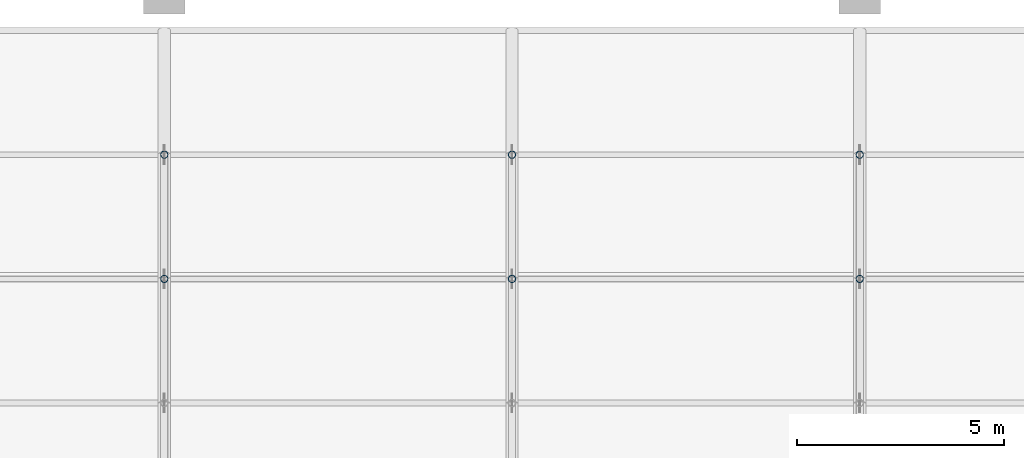
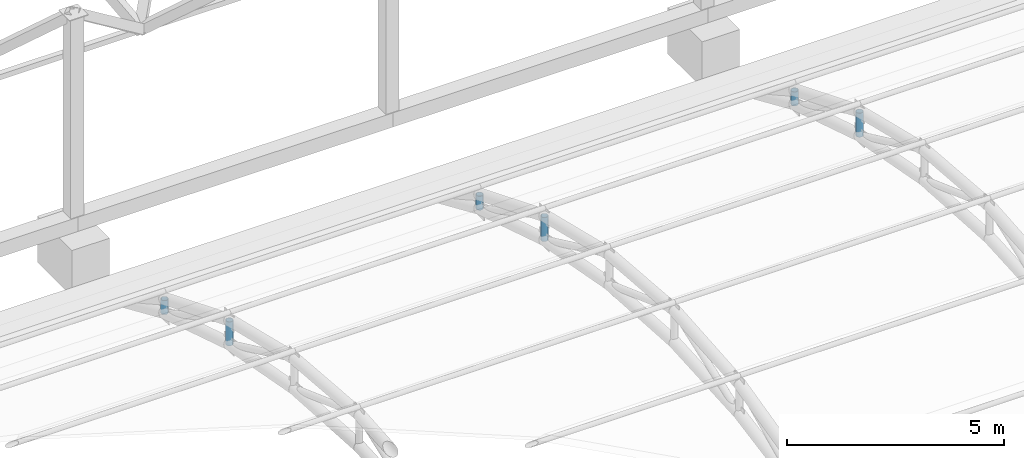
# One storey, part 76 of 163: 6 members.
"""IFC4 building model written with IfcOpenShell, lengths in metres."""

from ifc_helpers import new_model, si_unit, direction, frame, origin, origin_2d, place, context, subcontext, project, spatial, hollow_circle, extrude, material, material_profile, profile_set, type_object, element, save


model = new_model("IFC4")

# Units and contexts
model_context = context("Model", 3, precision=1e-05, world=origin(), true_north=direction((0.0, 1.0)))
body_context = subcontext(model_context, "Body", "Model", "MODEL_VIEW")
ifc_project = project(units=[si_unit("LENGTHUNIT", "METRE"), si_unit("AREAUNIT", "SQUARE_METRE"), si_unit("VOLUMEUNIT", "CUBIC_METRE"), si_unit("PLANEANGLEUNIT", "RADIAN"), si_unit("MASSUNIT", "GRAM", prefix="KILO")], contexts=[model_context])

# Site, building, storey
site_placement = place(None, origin())
site = spatial("IfcSite", under=ifc_project, at=site_placement, CompositionType="ELEMENT")
building_placement = place(site_placement, origin())
building = spatial("IfcBuilding", under=site, at=building_placement, Name="Rain Tree Exposition and Congress Centre", CompositionType="ELEMENT")
storey_placement = place(building_placement, frame((0.0, 0.0, 10.5)))
storey = spatial("IfcBuildingStorey", under=building, at=storey_placement, Name="L02", CompositionType="ELEMENT", Elevation=10.5)

# Members
ifc_material = material(Name="Steel S355J2H", Category="steel")
ifc_material_profile = material_profile(ifc_material, hollow_circle(Radius=0.090087890625, WallThickness=0.008056640625, at=origin_2d()), Name="CHS 180x8")
ifc_profile_set = profile_set([ifc_material_profile], Name="Steel S355J2H")
member_type = type_object("IfcMemberType", Name="Steel post member CHS 180x8", PredefinedType="POST", material=ifc_profile_set)
member_1_placement = place(storey_placement, frame((92.39990234375, 93.60009765625, 2.3798828125), z_axis=(0.0, 0.0, 1.0), x_axis=(1.0, 0.0, 0.0)))
element("IfcMember", 1, at=member_1_placement, inside=storey, type_object=member_type, Name="Roof truss 12 post 6", PredefinedType="POST", context=body_context, shape_type="SweptSolid", body=[
    extrude(hollow_circle(Radius=0.090087890625, WallThickness=0.008056640625, at=origin_2d()), origin(), (0.0, 0.0, 1.0), 0.675048828125),
])
member_2_placement = place(storey_placement, frame((92.39990234375, 96.60009765625, 1.4423828125), z_axis=(0.0, 0.0, 1.0), x_axis=(1.0, 0.0, 0.0)))
element("IfcMember", 2, at=member_2_placement, inside=storey, type_object=member_type, Name="Roof truss 12 post 7", PredefinedType="POST", context=body_context, shape_type="SweptSolid", body=[
    extrude(hollow_circle(Radius=0.090087890625, WallThickness=0.008056640625, at=origin_2d()), origin(), (0.0, 0.0, 1.0), 0.393798828125),
])
member_3_placement = place(storey_placement, frame((100.800048828125, 93.60009765625, 2.3798828125), z_axis=(0.0, 0.0, 1.0), x_axis=(1.0, 0.0, 0.0)))
element("IfcMember", 3, at=member_3_placement, inside=storey, type_object=member_type, Name="Roof truss 13 post 6", PredefinedType="POST", context=body_context, shape_type="SweptSolid", body=[
    extrude(hollow_circle(Radius=0.090087890625, WallThickness=0.008056640625, at=origin_2d()), origin(), (0.0, 0.0, 1.0), 0.675048828125),
])
member_4_placement = place(storey_placement, frame((100.800048828125, 96.60009765625, 1.4423828125), z_axis=(0.0, 0.0, 1.0), x_axis=(1.0, 0.0, 0.0)))
element("IfcMember", 4, at=member_4_placement, inside=storey, type_object=member_type, Name="Roof truss 13 post 7", PredefinedType="POST", context=body_context, shape_type="SweptSolid", body=[
    extrude(hollow_circle(Radius=0.090087890625, WallThickness=0.008056640625, at=origin_2d()), origin(), (0.0, 0.0, 1.0), 0.393798828125),
])
member_5_placement = place(storey_placement, frame((109.199951171875, 93.60009765625, 2.3798828125), z_axis=(0.0, 0.0, 1.0), x_axis=(1.0, 0.0, 0.0)))
element("IfcMember", 5, at=member_5_placement, inside=storey, type_object=member_type, Name="Roof truss 14 post 6", PredefinedType="POST", context=body_context, shape_type="SweptSolid", body=[
    extrude(hollow_circle(Radius=0.090087890625, WallThickness=0.008056640625, at=origin_2d()), origin(), (0.0, 0.0, 1.0), 0.675048828125),
])
member_6_placement = place(storey_placement, frame((109.199951171875, 96.60009765625, 1.4423828125), z_axis=(0.0, 0.0, 1.0), x_axis=(1.0, 0.0, 0.0)))
element("IfcMember", 6, at=member_6_placement, inside=storey, type_object=member_type, Name="Roof truss 14 post 7", PredefinedType="POST", context=body_context, shape_type="SweptSolid", body=[
    extrude(hollow_circle(Radius=0.090087890625, WallThickness=0.008056640625, at=origin_2d()), origin(), (0.0, 0.0, 1.0), 0.393798828125),
])

save(model, "model.ifc")
